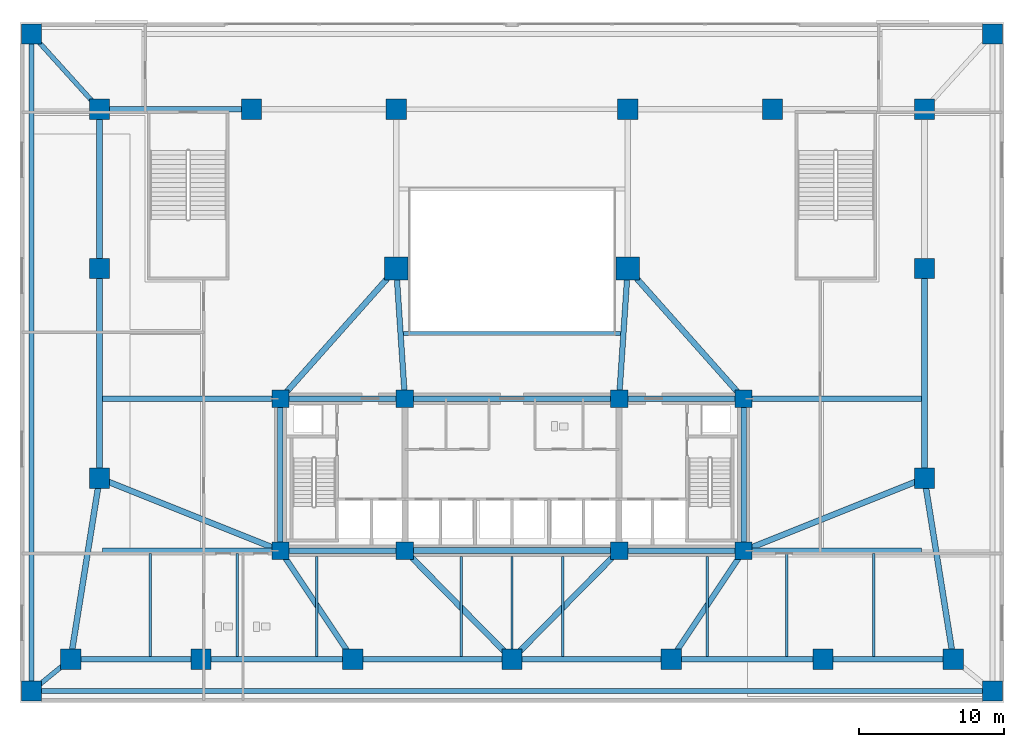
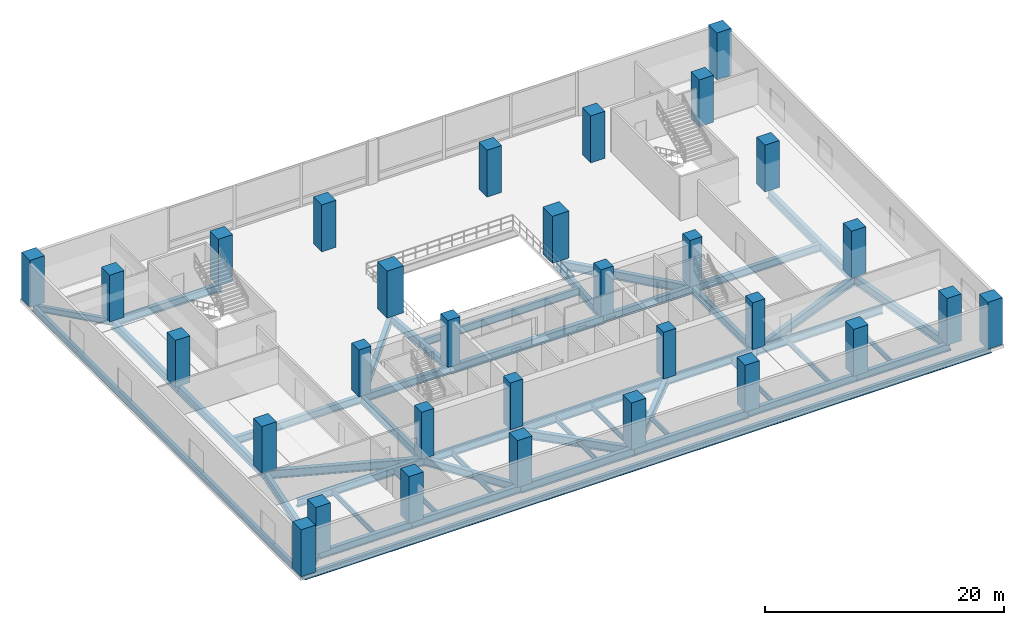
# One storey, part 1 of 15: 48 beams, 31 columns.
"""IFC4 building model written with IfcOpenShell, lengths in metres."""

from ifc_helpers import new_model, si_unit, direction, frame, origin, origin_2d, place, context, subcontext, project, spatial, rectangle, i_section, extrude, material, material_profile, profile_set, type_object, element, save


model = new_model("IFC4")

# Units and contexts
model_context = context("Model", 3, precision=1e-05, world=origin(), true_north=direction((0.0, 1.0)))
body_context = subcontext(model_context, "Body", "Model", "MODEL_VIEW")
ifc_project = project(units=[si_unit("LENGTHUNIT", "METRE"), si_unit("AREAUNIT", "SQUARE_METRE"), si_unit("VOLUMEUNIT", "CUBIC_METRE"), si_unit("PLANEANGLEUNIT", "RADIAN"), si_unit("MASSUNIT", "GRAM", prefix="KILO")], contexts=[model_context])

# Site, building, storey
site_placement = place(None, origin())
site = spatial("IfcSite", under=ifc_project, at=site_placement, CompositionType="ELEMENT")
building_placement = place(site_placement, origin())
building = spatial("IfcBuilding", under=site, at=building_placement, Name="Solmavex Isthmus Hotel", CompositionType="ELEMENT")
storey_placement = place(building_placement, frame((0.0, 0.0, 11.39990234375)))
storey = spatial("IfcBuildingStorey", under=building, at=storey_placement, Name="L03", CompositionType="ELEMENT", Elevation=11.39990234375)

# Columns
ifc_material_1 = material(Name="Concrete C70/85", Category="concrete")
ifc_material_profile_1 = material_profile(ifc_material_1, rectangle(XDim=1.199951171875, YDim=1.199951171875, at=origin_2d()), Name="RC1200X1200")
ifc_profile_set_1 = profile_set([ifc_material_profile_1], Name="Concrete C70/85")
column_type_1 = type_object("IfcColumnType", Name="COL-CC-1200", PredefinedType="COLUMN", material=ifc_profile_set_1)
for number, where, z_axis, x_axis, name in (
    (1, (-16.0, -13.0, 0.0), (0.0, 0.0, 1.0), (1.0, 0.0, 0.0), "Core Pilaster CC-SW L03"),
    (2, (-7.39990234375, -13.0, 0.0), (0.0, 0.0, 1.0), (1.0, 0.0, 0.0), "Core Pilaster CC-S1 L03"),
    (3, (7.39990234375, -13.0, 0.0), (0.0, 0.0, 1.0), (1.0, 0.0, 0.0), "Core Pilaster CC-S2 L03"),
    (4, (16.0, -13.0, 0.0), (0.0, 0.0, 1.0), (1.0, 0.0, 0.0), "Core Pilaster CC-SE L03"),
    (5, (-16.0, -2.5, 0.0), (0.0, 0.0, 1.0), (1.0, 0.0, 0.0), "Core Pilaster CC-NW L03"),
    (6, (-7.39990234375, -2.5, 0.0), (0.0, 0.0, 1.0), (1.0, 0.0, 0.0), "Core Pilaster CC-N1 L03"),
    (7, (7.39990234375, -2.5, 0.0), (0.0, 0.0, 1.0), (1.0, 0.0, 0.0), "Core Pilaster CC-N2 L03"),
    (8, (16.0, -2.5, 0.0), (0.0, 0.0, 1.0), (1.0, 0.0, 0.0), "Core Pilaster CC-NE L03"),
):
    element("IfcColumn", number, at=place(storey_placement, frame(where, z_axis=z_axis, x_axis=x_axis)), inside=storey, type_object=column_type_1, Name=name, PredefinedType="COLUMN", context=body_context, shape_type="SweptSolid", body=[
        extrude(rectangle(XDim=1.199951171875, YDim=1.199951171875, at=origin_2d()), origin(), (0.0, 0.0, 1.0), 4.800048828125),
    ])
ifc_material_profile_2 = material_profile(ifc_material_1, rectangle(XDim=1.39990234375, YDim=1.39990234375, at=origin_2d()), Name="RC1400X1400")
ifc_profile_set_2 = profile_set([ifc_material_profile_2], Name="Concrete C70/85")
column_type_2 = type_object("IfcColumnType", Name="COL-MC-1400", PredefinedType="COLUMN", material=ifc_profile_set_2)
for number, where, z_axis, x_axis, name in (
    (9, (-33.199951171875, -22.699951171875, 0.0), (0.0, 0.0, 1.0), (1.0, 0.0, 0.0), "Podium Mega Column MC-SW L03"),
    (10, (33.199951171875, -22.699951171875, 0.0), (0.0, 0.0, 1.0), (1.0, 0.0, 0.0), "Podium Mega Column MC-SE L03"),
    (11, (-33.199951171875, 22.699951171875, 0.0), (0.0, 0.0, 1.0), (1.0, 0.0, 0.0), "Podium Mega Column MC-NW L03"),
    (12, (33.199951171875, 22.699951171875, 0.0), (0.0, 0.0, 1.0), (1.0, 0.0, 0.0), "Podium Mega Column MC-NE L03"),
    (13, (-30.5, -20.5, 0.0), (0.0, 0.0, 1.0), (1.0, 0.0, 0.0), "Podium Mega Column MC-S1 L03"),
    (14, (-21.5, -20.5, 0.0), (0.0, 0.0, 1.0), (1.0, 0.0, 0.0), "Podium Mega Column MC-S2 L03"),
    (15, (-11.0, -20.5, 0.0), (0.0, 0.0, 1.0), (1.0, 0.0, 0.0), "Podium Mega Column MC-S3 L03"),
    (16, (0.0, -20.5, 0.0), (0.0, 0.0, 1.0), (1.0, 0.0, 0.0), "Podium Mega Column MC-S4 L03"),
    (17, (11.0, -20.5, 0.0), (0.0, 0.0, 1.0), (1.0, 0.0, 0.0), "Podium Mega Column MC-S5 L03"),
    (18, (21.5, -20.5, 0.0), (0.0, 0.0, 1.0), (1.0, 0.0, 0.0), "Podium Mega Column MC-S6 L03"),
    (19, (30.5, -20.5, 0.0), (0.0, 0.0, 1.0), (1.0, 0.0, 0.0), "Podium Mega Column MC-S7 L03"),
    (20, (-28.5, -8.0, 0.0), (0.0, 0.0, 1.0), (1.0, 0.0, 0.0), "Podium Mega Column MC-W1 L03"),
    (21, (28.5, -8.0, 0.0), (0.0, 0.0, 1.0), (1.0, 0.0, 0.0), "Podium Mega Column MC-E1 L03"),
    (22, (-28.5, 6.5, 0.0), (0.0, 0.0, 1.0), (1.0, 0.0, 0.0), "Podium Mega Column MC-M1 L03"),
    (23, (28.5, 6.5, 0.0), (0.0, 0.0, 1.0), (1.0, 0.0, 0.0), "Podium Mega Column MC-M4 L03"),
    (24, (-28.5, 17.5, 0.0), (0.0, 0.0, 1.0), (1.0, 0.0, 0.0), "Podium Mega Column MC-N1 L03"),
    (25, (-18.0, 17.5, 0.0), (0.0, 0.0, 1.0), (1.0, 0.0, 0.0), "Podium Mega Column MC-N2 L03"),
    (26, (-8.0, 17.5, 0.0), (0.0, 0.0, 1.0), (1.0, 0.0, 0.0), "Podium Mega Column MC-N3 L03"),
    (27, (8.0, 17.5, 0.0), (0.0, 0.0, 1.0), (1.0, 0.0, 0.0), "Podium Mega Column MC-N4 L03"),
    (28, (18.0, 17.5, 0.0), (0.0, 0.0, 1.0), (1.0, 0.0, 0.0), "Podium Mega Column MC-N5 L03"),
    (29, (28.5, 17.5, 0.0), (0.0, 0.0, 1.0), (1.0, 0.0, 0.0), "Podium Mega Column MC-N6 L03"),
):
    element("IfcColumn", number, at=place(storey_placement, frame(where, z_axis=z_axis, x_axis=x_axis)), inside=storey, type_object=column_type_2, Name=name, PredefinedType="COLUMN", context=body_context, shape_type="SweptSolid", body=[
        extrude(rectangle(XDim=1.39990234375, YDim=1.39990234375, at=origin_2d()), origin(), (0.0, 0.0, 1.0), 4.800048828125),
    ])
ifc_material_profile_3 = material_profile(ifc_material_1, rectangle(XDim=1.60009765625, YDim=1.60009765625, at=origin_2d()), Name="RC1600X1600")
ifc_profile_set_3 = profile_set([ifc_material_profile_3], Name="Concrete C70/85")
column_type_3 = type_object("IfcColumnType", Name="COL-MC-1600", PredefinedType="COLUMN", material=ifc_profile_set_3)
for number, where, z_axis, x_axis, name in (
    (30, (-8.0, 6.5, 0.0), (0.0, 0.0, 1.0), (1.0, 0.0, 0.0), "Podium Mega Column MC-M2 L03"),
    (31, (8.0, 6.5, 0.0), (0.0, 0.0, 1.0), (1.0, 0.0, 0.0), "Podium Mega Column MC-M3 L03"),
):
    element("IfcColumn", number, at=place(storey_placement, frame(where, z_axis=z_axis, x_axis=x_axis)), inside=storey, type_object=column_type_3, Name=name, PredefinedType="COLUMN", context=body_context, shape_type="SweptSolid", body=[
        extrude(rectangle(XDim=1.60009765625, YDim=1.60009765625, at=origin_2d()), origin(), (0.0, 0.0, 1.0), 4.800048828125),
    ])

# Beams
ifc_material_2 = material(Name="Steel ASTM A992 Grade 50", Category="steel")
ifc_material_profile_4 = material_profile(ifc_material_2, i_section(OverallWidth=0.2666015625, OverallDepth=0.76220703125, WebThickness=0.014404296875, FlangeThickness=0.021484375, FilletRadius=0.01904296875, at=origin_2d()), Name="W30X116")
ifc_profile_set_4 = profile_set([ifc_material_profile_4], Name="Steel ASTM A992 Grade 50")
beam_type_1 = type_object("IfcBeamType", Name="BM-BG-W30X116", PredefinedType="BEAM", material=ifc_profile_set_4)
beam_1_placement = place(storey_placement, frame((-7.81005859375, 2.0, -0.68115234375), z_axis=(1.0, 0.0, 0.0), x_axis=(0.0, 1.0, 0.0)))
element("IfcBeam", 32, at=beam_1_placement, inside=storey, type_object=beam_type_1, Name="Atrium Trimmer Girder L03-AT1", PredefinedType="BEAM", context=body_context, shape_type="SweptSolid", body=[
    extrude(i_section(OverallWidth=0.2666015625, OverallDepth=0.76220703125, WebThickness=0.014404296875, FlangeThickness=0.021484375, FilletRadius=0.01904296875, at=origin_2d()), origin(), (0.0, 0.0, 1.0), 15.6201171875),
])
ifc_material_profile_5 = material_profile(ifc_material_2, i_section(OverallWidth=0.380615234375, OverallDepth=0.773193359375, WebThickness=0.0166015625, FlangeThickness=0.027099609375, FilletRadius=0.01904296875, at=origin_2d()), Name="W30X173")
ifc_profile_set_5 = profile_set([ifc_material_profile_5], Name="Steel ASTM A992 Grade 50")
beam_type_2 = type_object("IfcBeamType", Name="BM-BG-W30X173", PredefinedType="BEAM", material=ifc_profile_set_5)
beam_2_placement = place(storey_placement, frame((-30.5, -20.5, -0.6865234375), z_axis=(1.0, 0.0, 0.0), x_axis=(0.0, 1.0, 0.0)))
element("IfcBeam", 33, at=beam_2_placement, inside=storey, type_object=beam_type_2, Name="Podium Primary Girder L03-G01", PredefinedType="BEAM", context=body_context, shape_type="SweptSolid", body=[
    extrude(i_section(OverallWidth=0.380615234375, OverallDepth=0.773193359375, WebThickness=0.0166015625, FlangeThickness=0.027099609375, FilletRadius=0.01904296875, at=origin_2d()), origin(), (0.0, 0.0, 1.0), 9.0),
])
for number, where, z_axis, x_axis, name in (
    (34, (-21.5, -20.5, -0.6865234375), (1.0, 0.0, 0.0), (0.0, 1.0, 0.0), "Podium Primary Girder L03-G02"),
    (35, (11.0, -20.5, -0.6865234375), (1.0, 0.0, 0.0), (0.0, 1.0, 0.0), "Podium Primary Girder L03-G05"),
):
    element("IfcBeam", number, at=place(storey_placement, frame(where, z_axis=z_axis, x_axis=x_axis)), inside=storey, type_object=beam_type_2, Name=name, PredefinedType="BEAM", context=body_context, shape_type="SweptSolid", body=[
        extrude(i_section(OverallWidth=0.380615234375, OverallDepth=0.773193359375, WebThickness=0.0166015625, FlangeThickness=0.027099609375, FilletRadius=0.01904296875, at=origin_2d()), origin(), (0.0, 0.0, 1.0), 10.5),
    ])
beam_3_placement = place(storey_placement, frame((21.5, -20.5, -0.6865234375), z_axis=(1.0, 0.0, 0.0), x_axis=(0.0, 1.0, 0.0)))
element("IfcBeam", 36, at=beam_3_placement, inside=storey, type_object=beam_type_2, Name="Podium Primary Girder L03-G06", PredefinedType="BEAM", context=body_context, shape_type="SweptSolid", body=[
    extrude(i_section(OverallWidth=0.380615234375, OverallDepth=0.773193359375, WebThickness=0.0166015625, FlangeThickness=0.027099609375, FilletRadius=0.01904296875, at=origin_2d()), origin(), (0.0, 0.0, 1.0), 9.0),
])
beam_4_placement = place(storey_placement, frame((-28.5, 17.5, -0.6865234375), z_axis=(1.0, 0.0, 0.0), x_axis=(0.0, 1.0, 0.0)))
element("IfcBeam", 37, at=beam_4_placement, inside=storey, type_object=beam_type_2, Name="Podium Primary Girder L03-G07", PredefinedType="BEAM", context=body_context, shape_type="SweptSolid", body=[
    extrude(i_section(OverallWidth=0.380615234375, OverallDepth=0.773193359375, WebThickness=0.0166015625, FlangeThickness=0.027099609375, FilletRadius=0.01904296875, at=origin_2d()), origin(), (0.0, 0.0, 1.0), 10.5),
])
for number, where, z_axis, x_axis, name in (
    (38, (-11.0, -20.5, -0.6865234375), (-0.554700196225, 0.832050294338, 0.0), (-0.832050294338, -0.554700196225, 0.0), "Podium Primary Girder L03-G21"),
    (39, (11.0, -20.5, -0.6865234375), (0.554700196225, 0.832050294338, 0.0), (-0.832050294338, 0.554700196225, 0.0), "Podium Primary Girder L03-G24"),
):
    element("IfcBeam", number, at=place(storey_placement, frame(where, z_axis=z_axis, x_axis=x_axis)), inside=storey, type_object=beam_type_2, Name=name, PredefinedType="BEAM", context=body_context, shape_type="SweptSolid", body=[
        extrude(i_section(OverallWidth=0.380615234375, OverallDepth=0.773193359375, WebThickness=0.0166015625, FlangeThickness=0.027099609375, FilletRadius=0.01904296875, at=origin_2d()), origin(), (0.0, 0.0, 1.0), 9.013916015625),
    ])
for number, where, z_axis, x_axis, name in (
    (40, (-7.39990234375, -2.5, -0.6865234375), (-0.066529789268, 0.997784439215, 0.0), (-0.997784439215, -0.066529789268, 0.0), "Podium Primary Girder L03-G26"),
    (41, (7.39990234375, -2.5, -0.6865234375), (0.066529789268, 0.997784439215, 0.0), (-0.997784439215, 0.066529789268, 0.0), "Podium Primary Girder L03-G27"),
):
    element("IfcBeam", number, at=place(storey_placement, frame(where, z_axis=z_axis, x_axis=x_axis)), inside=storey, type_object=beam_type_2, Name=name, PredefinedType="BEAM", context=body_context, shape_type="SweptSolid", body=[
        extrude(i_section(OverallWidth=0.380615234375, OverallDepth=0.773193359375, WebThickness=0.0166015625, FlangeThickness=0.027099609375, FilletRadius=0.01904296875, at=origin_2d()), origin(), (0.0, 0.0, 1.0), 9.02001953125),
    ])
for number, where, z_axis, x_axis, name in (
    (42, (-16.0, -13.0, -0.6865234375), (1.0, 0.0, 0.0), (0.0, 1.0, 0.0), "Podium Primary Girder L03-G33"),
    (43, (7.39990234375, -13.0, -0.6865234375), (1.0, 0.0, 0.0), (0.0, 1.0, 0.0), "Podium Primary Girder L03-G35"),
    (44, (-16.0, -2.5, -0.6865234375), (1.0, 0.0, 0.0), (0.0, 1.0, 0.0), "Podium Primary Girder L03-G36"),
    (45, (7.39990234375, -2.5, -0.6865234375), (1.0, 0.0, 0.0), (0.0, 1.0, 0.0), "Podium Primary Girder L03-G38"),
):
    element("IfcBeam", number, at=place(storey_placement, frame(where, z_axis=z_axis, x_axis=x_axis)), inside=storey, type_object=beam_type_2, Name=name, PredefinedType="BEAM", context=body_context, shape_type="SweptSolid", body=[
        extrude(i_section(OverallWidth=0.380615234375, OverallDepth=0.773193359375, WebThickness=0.0166015625, FlangeThickness=0.027099609375, FilletRadius=0.01904296875, at=origin_2d()), origin(), (0.0, 0.0, 1.0), 8.60009765625),
    ])
for number, where, z_axis, x_axis, name in (
    (46, (-16.0, -13.0, -0.6865234375), (0.0, 1.0, 0.0), (-1.0, 0.0, 0.0), "Podium Primary Girder L03-G39"),
    (47, (16.0, -13.0, -0.6865234375), (0.0, 1.0, 0.0), (-1.0, 0.0, 0.0), "Podium Primary Girder L03-G40"),
):
    element("IfcBeam", number, at=place(storey_placement, frame(where, z_axis=z_axis, x_axis=x_axis)), inside=storey, type_object=beam_type_2, Name=name, PredefinedType="BEAM", context=body_context, shape_type="SweptSolid", body=[
        extrude(i_section(OverallWidth=0.380615234375, OverallDepth=0.773193359375, WebThickness=0.0166015625, FlangeThickness=0.027099609375, FilletRadius=0.01904296875, at=origin_2d()), origin(), (0.0, 0.0, 1.0), 10.5),
    ])
for number, where, z_axis, x_axis, name in (
    (48, (-28.31005859375, -2.5, -0.6865234375), (1.0, 0.0, 0.0), (0.0, 1.0, 0.0), "Podium Wing Collector Girder L03-EW01"),
    (49, (16.0, -2.5, -0.6865234375), (1.0, 0.0, 0.0), (0.0, 1.0, 0.0), "Podium Wing Collector Girder L03-EW02"),
    (50, (-28.31005859375, -13.0, -0.6865234375), (1.0, 0.0, 0.0), (0.0, 1.0, 0.0), "Podium Wing Collector Girder L03-EW03"),
    (51, (16.0, -13.0, -0.6865234375), (1.0, 0.0, 0.0), (0.0, 1.0, 0.0), "Podium Wing Collector Girder L03-EW04"),
):
    element("IfcBeam", number, at=place(storey_placement, frame(where, z_axis=z_axis, x_axis=x_axis)), inside=storey, type_object=beam_type_2, Name=name, PredefinedType="BEAM", context=body_context, shape_type="SweptSolid", body=[
        extrude(i_section(OverallWidth=0.380615234375, OverallDepth=0.773193359375, WebThickness=0.0166015625, FlangeThickness=0.027099609375, FilletRadius=0.01904296875, at=origin_2d()), origin(), (0.0, 0.0, 1.0), 12.31005859375),
    ])
ifc_material_profile_6 = material_profile(ifc_material_2, i_section(OverallWidth=0.39990234375, OverallDepth=0.85546875, WebThickness=0.018310546875, FlangeThickness=0.029296875, FilletRadius=0.020263671875, at=origin_2d()), Name="W33X201")
ifc_profile_set_6 = profile_set([ifc_material_profile_6], Name="Steel ASTM A992 Grade 50")
beam_type_3 = type_object("IfcBeamType", Name="BM-BG-W33X201", PredefinedType="BEAM", material=ifc_profile_set_6)
for number, where, z_axis, x_axis, name in (
    (52, (-11.0, -20.5, -0.7275390625), (1.0, 0.0, 0.0), (0.0, 1.0, 0.0), "Podium Primary Girder L03-G03"),
    (53, (0.0, -20.5, -0.7275390625), (1.0, 0.0, 0.0), (0.0, 1.0, 0.0), "Podium Primary Girder L03-G04"),
):
    element("IfcBeam", number, at=place(storey_placement, frame(where, z_axis=z_axis, x_axis=x_axis)), inside=storey, type_object=beam_type_3, Name=name, PredefinedType="BEAM", context=body_context, shape_type="SweptSolid", body=[
        extrude(i_section(OverallWidth=0.39990234375, OverallDepth=0.85546875, WebThickness=0.018310546875, FlangeThickness=0.029296875, FilletRadius=0.020263671875, at=origin_2d()), origin(), (0.0, 0.0, 1.0), 11.0),
    ])
beam_5_placement = place(storey_placement, frame((-30.5, -20.5, -0.7275390625), z_axis=(0.157990501107, 0.987440631917, 0.0), x_axis=(-0.987440631917, 0.157990501107, 0.0)))
element("IfcBeam", 54, at=beam_5_placement, inside=storey, type_object=beam_type_3, Name="Podium Primary Girder L03-G12", PredefinedType="BEAM", context=body_context, shape_type="SweptSolid", body=[
    extrude(i_section(OverallWidth=0.39990234375, OverallDepth=0.85546875, WebThickness=0.018310546875, FlangeThickness=0.029296875, FilletRadius=0.020263671875, at=origin_2d()), origin(), (0.0, 0.0, 1.0), 12.658935546875),
])
beam_6_placement = place(storey_placement, frame((-28.5, -8.0, -0.7275390625), z_axis=(0.0, 1.0, 0.0), x_axis=(-1.0, 0.0, 0.0)))
element("IfcBeam", 55, at=beam_6_placement, inside=storey, type_object=beam_type_3, Name="Podium Primary Girder L03-G13", PredefinedType="BEAM", context=body_context, shape_type="SweptSolid", body=[
    extrude(i_section(OverallWidth=0.39990234375, OverallDepth=0.85546875, WebThickness=0.018310546875, FlangeThickness=0.029296875, FilletRadius=0.020263671875, at=origin_2d()), origin(), (0.0, 0.0, 1.0), 14.5),
])
beam_7_placement = place(storey_placement, frame((-28.5, 6.5, -0.7275390625), z_axis=(0.0, 1.0, 0.0), x_axis=(-1.0, 0.0, 0.0)))
element("IfcBeam", 56, at=beam_7_placement, inside=storey, type_object=beam_type_3, Name="Podium Primary Girder L03-G14", PredefinedType="BEAM", context=body_context, shape_type="SweptSolid", body=[
    extrude(i_section(OverallWidth=0.39990234375, OverallDepth=0.85546875, WebThickness=0.018310546875, FlangeThickness=0.029296875, FilletRadius=0.020263671875, at=origin_2d()), origin(), (0.0, 0.0, 1.0), 11.0),
])
beam_8_placement = place(storey_placement, frame((30.5, -20.5, -0.7275390625), z_axis=(-0.157990501107, 0.987440631917, 0.0), x_axis=(-0.987440631917, -0.157990501107, 0.0)))
element("IfcBeam", 57, at=beam_8_placement, inside=storey, type_object=beam_type_3, Name="Podium Primary Girder L03-G15", PredefinedType="BEAM", context=body_context, shape_type="SweptSolid", body=[
    extrude(i_section(OverallWidth=0.39990234375, OverallDepth=0.85546875, WebThickness=0.018310546875, FlangeThickness=0.029296875, FilletRadius=0.020263671875, at=origin_2d()), origin(), (0.0, 0.0, 1.0), 12.658935546875),
])
beam_9_placement = place(storey_placement, frame((28.5, -8.0, -0.7275390625), z_axis=(0.0, 1.0, 0.0), x_axis=(-1.0, 0.0, 0.0)))
element("IfcBeam", 58, at=beam_9_placement, inside=storey, type_object=beam_type_3, Name="Podium Primary Girder L03-G16", PredefinedType="BEAM", context=body_context, shape_type="SweptSolid", body=[
    extrude(i_section(OverallWidth=0.39990234375, OverallDepth=0.85546875, WebThickness=0.018310546875, FlangeThickness=0.029296875, FilletRadius=0.020263671875, at=origin_2d()), origin(), (0.0, 0.0, 1.0), 14.5),
])
for number, where, z_axis, x_axis, name in (
    (59, (0.0, -20.5, -0.7275390625), (-0.702340583794, 0.711841066781, 0.0), (-0.711841066781, -0.702340583794, 0.0), "Podium Primary Girder L03-G22"),
    (60, (0.0, -20.5, -0.7275390625), (0.702340583794, 0.711841066781, 0.0), (-0.711841066781, 0.702340583794, 0.0), "Podium Primary Girder L03-G23"),
):
    element("IfcBeam", number, at=place(storey_placement, frame(where, z_axis=z_axis, x_axis=x_axis)), inside=storey, type_object=beam_type_3, Name=name, PredefinedType="BEAM", context=body_context, shape_type="SweptSolid", body=[
        extrude(i_section(OverallWidth=0.39990234375, OverallDepth=0.85546875, WebThickness=0.018310546875, FlangeThickness=0.029296875, FilletRadius=0.020263671875, at=origin_2d()), origin(), (0.0, 0.0, 1.0), 10.5361328125),
    ])
for number, where, z_axis, x_axis, name in (
    (61, (-16.0, -2.5, -0.7275390625), (0.66436383883, 0.747409318684, 0.0), (-0.747409318684, 0.66436383883, 0.0), "Podium Primary Girder L03-G25"),
    (62, (16.0, -2.5, -0.7275390625), (-0.66436383883, 0.747409318684, 0.0), (-0.747409318684, -0.66436383883, 0.0), "Podium Primary Girder L03-G28"),
):
    element("IfcBeam", number, at=place(storey_placement, frame(where, z_axis=z_axis, x_axis=x_axis)), inside=storey, type_object=beam_type_3, Name=name, PredefinedType="BEAM", context=body_context, shape_type="SweptSolid", body=[
        extrude(i_section(OverallWidth=0.39990234375, OverallDepth=0.85546875, WebThickness=0.018310546875, FlangeThickness=0.029296875, FilletRadius=0.020263671875, at=origin_2d()), origin(), (0.0, 0.0, 1.0), 12.04150390625),
    ])
for number, where, z_axis, x_axis, name in (
    (63, (-28.5, -8.0, -0.7275390625), (0.928476690885, -0.371390676354, 0.0), (0.371390676354, 0.928476690885, 0.0), "Podium Primary Girder L03-G31"),
    (64, (28.5, -8.0, -0.7275390625), (-0.928476690885, -0.371390676354, 0.0), (0.371390676354, -0.928476690885, 0.0), "Podium Primary Girder L03-G32"),
):
    element("IfcBeam", number, at=place(storey_placement, frame(where, z_axis=z_axis, x_axis=x_axis)), inside=storey, type_object=beam_type_3, Name=name, PredefinedType="BEAM", context=body_context, shape_type="SweptSolid", body=[
        extrude(i_section(OverallWidth=0.39990234375, OverallDepth=0.85546875, WebThickness=0.018310546875, FlangeThickness=0.029296875, FilletRadius=0.020263671875, at=origin_2d()), origin(), (0.0, 0.0, 1.0), 13.462890625),
    ])
for number, where, z_axis, x_axis, name in (
    (65, (-7.39990234375, -13.0, -0.7275390625), (1.0, 0.0, 0.0), (0.0, 1.0, 0.0), "Podium Primary Girder L03-G34"),
    (66, (-7.39990234375, -2.5, -0.7275390625), (1.0, 0.0, 0.0), (0.0, 1.0, 0.0), "Podium Primary Girder L03-G37"),
):
    element("IfcBeam", number, at=place(storey_placement, frame(where, z_axis=z_axis, x_axis=x_axis)), inside=storey, type_object=beam_type_3, Name=name, PredefinedType="BEAM", context=body_context, shape_type="SweptSolid", body=[
        extrude(i_section(OverallWidth=0.39990234375, OverallDepth=0.85546875, WebThickness=0.018310546875, FlangeThickness=0.029296875, FilletRadius=0.020263671875, at=origin_2d()), origin(), (0.0, 0.0, 1.0), 14.7998046875),
    ])
ifc_material_profile_7 = material_profile(ifc_material_2, i_section(OverallWidth=0.16650390625, OverallDepth=0.534912109375, WebThickness=0.01025390625, FlangeThickness=0.0166015625, FilletRadius=0.013916015625, at=origin_2d()), Name="W21X57")
ifc_profile_set_7 = profile_set([ifc_material_profile_7], Name="Steel ASTM A992 Grade 50")
beam_type_4 = type_object("IfcBeamType", Name="BM-BJ-W21X57", PredefinedType="JOIST", material=ifc_profile_set_7)
for number, where, z_axis, x_axis, name in (
    (67, (-25.0, -20.309814453125, -0.5673828125), (0.0, 1.0, 0.0), (-1.0, 0.0, 0.0), "Podium Composite Floor Joist L03-J01"),
    (68, (-19.0, -20.309814453125, -0.5673828125), (0.0, 1.0, 0.0), (-1.0, 0.0, 0.0), "Podium Composite Floor Joist L03-J02"),
):
    element("IfcBeam", number, at=place(storey_placement, frame(where, z_axis=z_axis, x_axis=x_axis)), inside=storey, type_object=beam_type_4, Name=name, PredefinedType="JOIST", context=body_context, shape_type="SweptSolid", body=[
        extrude(i_section(OverallWidth=0.16650390625, OverallDepth=0.534912109375, WebThickness=0.01025390625, FlangeThickness=0.0166015625, FilletRadius=0.013916015625, at=origin_2d()), origin(), (0.0, 0.0, 1.0), 7.11962890625),
    ])
beam_10_placement = place(storey_placement, frame((-13.5, -20.309814453125, -0.5673828125), z_axis=(0.0, 1.0, 0.0), x_axis=(-1.0, 0.0, 0.0)))
element("IfcBeam", 69, at=beam_10_placement, inside=storey, type_object=beam_type_4, Name="Podium Composite Floor Joist L03-J03", PredefinedType="JOIST", context=body_context, shape_type="SweptSolid", body=[
    extrude(i_section(OverallWidth=0.16650390625, OverallDepth=0.534912109375, WebThickness=0.01025390625, FlangeThickness=0.0166015625, FilletRadius=0.013916015625, at=origin_2d()), origin(), (0.0, 0.0, 1.0), 6.909912109375),
])
for number, where, z_axis, x_axis, name in (
    (70, (-3.5, -20.300048828125, -0.5673828125), (0.0, 1.0, 0.0), (-1.0, 0.0, 0.0), "Podium Composite Floor Joist L03-J04"),
    (71, (0.0, -20.300048828125, -0.5673828125), (0.0, 1.0, 0.0), (-1.0, 0.0, 0.0), "Podium Composite Floor Joist L03-J05"),
    (72, (3.5, -20.300048828125, -0.5673828125), (0.0, 1.0, 0.0), (-1.0, 0.0, 0.0), "Podium Composite Floor Joist L03-J06"),
):
    element("IfcBeam", number, at=place(storey_placement, frame(where, z_axis=z_axis, x_axis=x_axis)), inside=storey, type_object=beam_type_4, Name=name, PredefinedType="JOIST", context=body_context, shape_type="SweptSolid", body=[
        extrude(i_section(OverallWidth=0.16650390625, OverallDepth=0.534912109375, WebThickness=0.01025390625, FlangeThickness=0.0166015625, FilletRadius=0.013916015625, at=origin_2d()), origin(), (0.0, 0.0, 1.0), 6.900146484375),
    ])
beam_11_placement = place(storey_placement, frame((13.5, -20.309814453125, -0.5673828125), z_axis=(0.0, 1.0, 0.0), x_axis=(-1.0, 0.0, 0.0)))
element("IfcBeam", 73, at=beam_11_placement, inside=storey, type_object=beam_type_4, Name="Podium Composite Floor Joist L03-J07", PredefinedType="JOIST", context=body_context, shape_type="SweptSolid", body=[
    extrude(i_section(OverallWidth=0.16650390625, OverallDepth=0.534912109375, WebThickness=0.01025390625, FlangeThickness=0.0166015625, FilletRadius=0.013916015625, at=origin_2d()), origin(), (0.0, 0.0, 1.0), 6.909912109375),
])
for number, where, z_axis, x_axis, name in (
    (74, (19.0, -20.309814453125, -0.5673828125), (0.0, 1.0, 0.0), (-1.0, 0.0, 0.0), "Podium Composite Floor Joist L03-J08"),
    (75, (25.0, -20.309814453125, -0.5673828125), (0.0, 1.0, 0.0), (-1.0, 0.0, 0.0), "Podium Composite Floor Joist L03-J09"),
):
    element("IfcBeam", number, at=place(storey_placement, frame(where, z_axis=z_axis, x_axis=x_axis)), inside=storey, type_object=beam_type_4, Name=name, PredefinedType="JOIST", context=body_context, shape_type="SweptSolid", body=[
        extrude(i_section(OverallWidth=0.16650390625, OverallDepth=0.534912109375, WebThickness=0.01025390625, FlangeThickness=0.0166015625, FilletRadius=0.013916015625, at=origin_2d()), origin(), (0.0, 0.0, 1.0), 7.11962890625),
    ])
ifc_material_profile_8 = material_profile(ifc_material_2, i_section(OverallWidth=0.326416015625, OverallDepth=0.621826171875, WebThickness=0.015380859375, FlangeThickness=0.0244140625, FilletRadius=0.01513671875, at=origin_2d()), Name="W24X131")
ifc_profile_set_8 = profile_set([ifc_material_profile_8], Name="Steel ASTM A992 Grade 50")
beam_type_5 = type_object("IfcBeamType", Name="BM-SP-W24X131", PredefinedType="SPANDREL", material=ifc_profile_set_8)
beam_12_placement = place(storey_placement, frame((-33.199951171875, -22.699951171875, -0.61083984375), z_axis=(0.77523625691, 0.631671390814, 0.0), x_axis=(-0.631671390814, 0.77523625691, 0.0)))
element("IfcBeam", 76, at=beam_12_placement, inside=storey, type_object=beam_type_5, Name="Podium Corner Perimeter Girder L03-CR01", PredefinedType="SPANDREL", context=body_context, shape_type="SweptSolid", body=[
    extrude(i_section(OverallWidth=0.326416015625, OverallDepth=0.621826171875, WebThickness=0.015380859375, FlangeThickness=0.0244140625, FilletRadius=0.01513671875, at=origin_2d()), origin(), (0.0, 0.0, 1.0), 3.482666015625),
])
beam_13_placement = place(storey_placement, frame((-33.199951171875, -22.699951171875, -0.61083984375), z_axis=(0.0, 1.0, 0.0), x_axis=(-1.0, 0.0, 0.0)))
element("IfcBeam", 77, at=beam_13_placement, inside=storey, type_object=beam_type_5, Name="Podium Corner Perimeter Girder L03-CR03", PredefinedType="SPANDREL", context=body_context, shape_type="SweptSolid", body=[
    extrude(i_section(OverallWidth=0.326416015625, OverallDepth=0.621826171875, WebThickness=0.015380859375, FlangeThickness=0.0244140625, FilletRadius=0.01513671875, at=origin_2d()), origin(), (0.0, 0.0, 1.0), 45.39990234375),
])
beam_14_placement = place(storey_placement, frame((-33.199951171875, 22.699951171875, -0.61083984375), z_axis=(0.670539300557, -0.741874009795, 0.0), x_axis=(0.741874009795, 0.670539300557, 0.0)))
element("IfcBeam", 78, at=beam_14_placement, inside=storey, type_object=beam_type_5, Name="Podium Corner Perimeter Girder L03-CR05", PredefinedType="SPANDREL", context=body_context, shape_type="SweptSolid", body=[
    extrude(i_section(OverallWidth=0.326416015625, OverallDepth=0.621826171875, WebThickness=0.015380859375, FlangeThickness=0.0244140625, FilletRadius=0.01513671875, at=origin_2d()), origin(), (0.0, 0.0, 1.0), 7.00927734375),
])
beam_15_placement = place(storey_placement, frame((-33.199951171875, -22.699951171875, -0.61083984375), z_axis=(1.0, 0.0, 0.0), x_axis=(0.0, 1.0, 0.0)))
element("IfcBeam", 79, at=beam_15_placement, inside=storey, type_object=beam_type_5, Name="Podium Edge Spandrel L03-SP01", PredefinedType="SPANDREL", context=body_context, shape_type="SweptSolid", body=[
    extrude(i_section(OverallWidth=0.326416015625, OverallDepth=0.621826171875, WebThickness=0.015380859375, FlangeThickness=0.0244140625, FilletRadius=0.01513671875, at=origin_2d()), origin(), (0.0, 0.0, 1.0), 66.39990234375),
])

save(model, "model.ifc")
